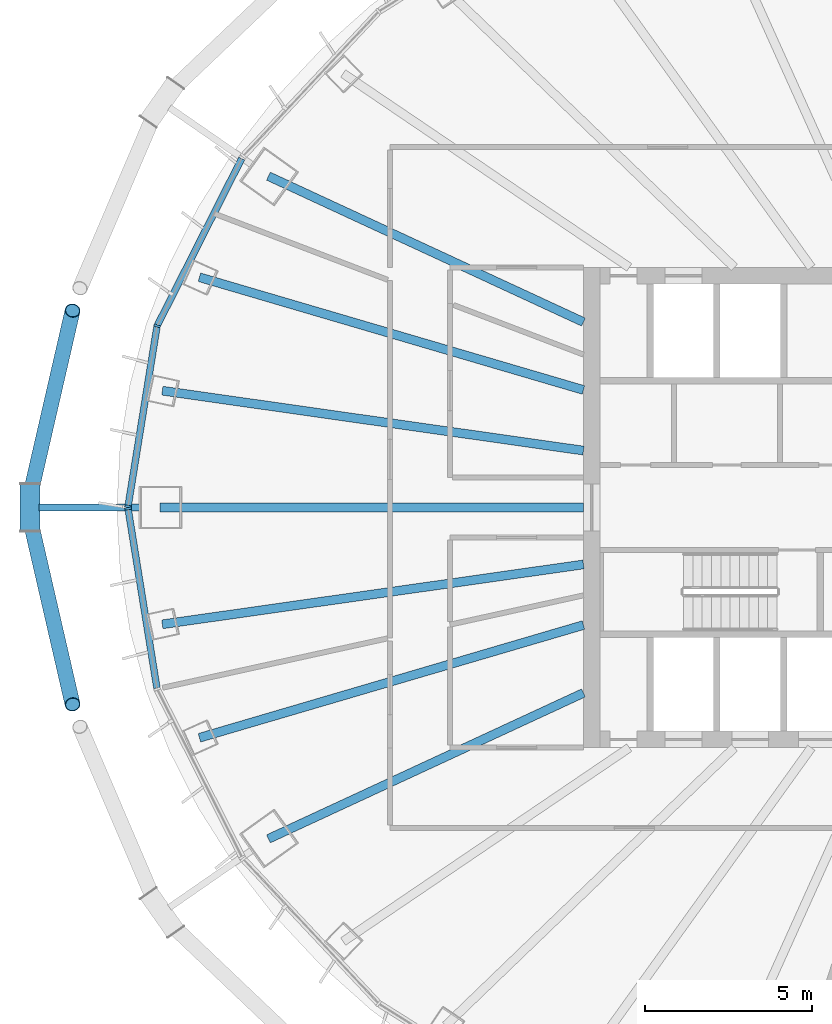
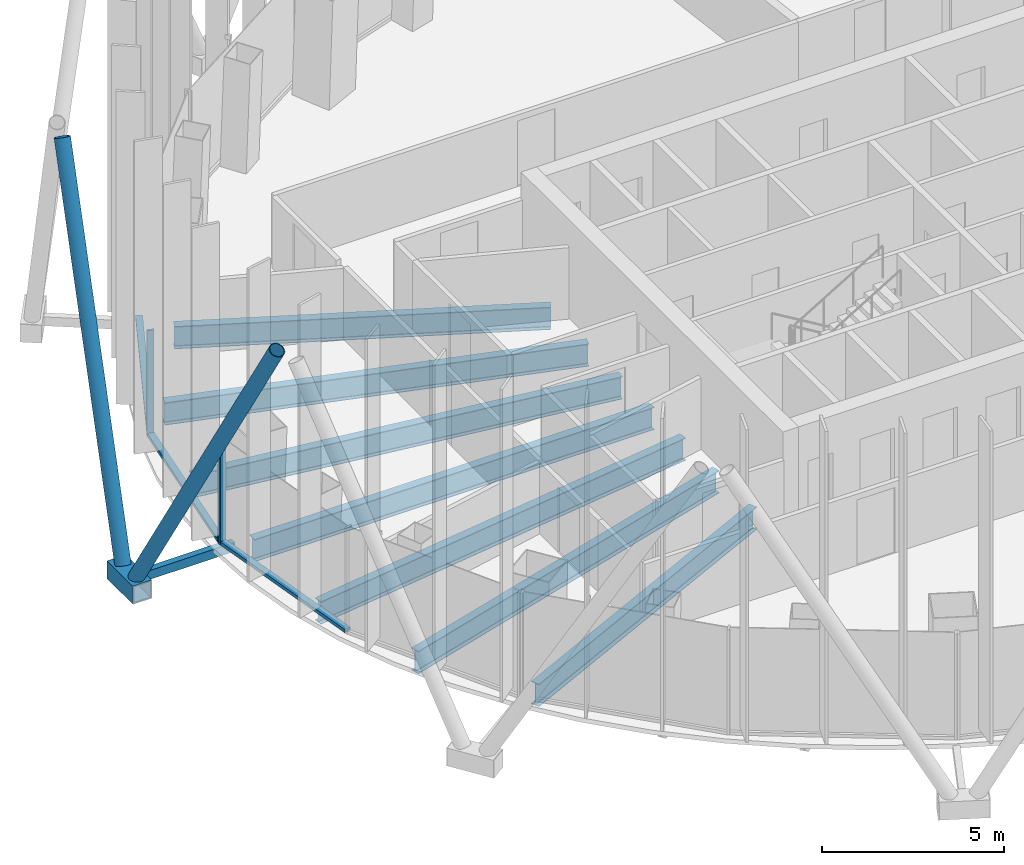
# One storey, part 3 of 20: 10 members, 7 beams, 2 elements without a shape of their own.
"""IFC4 building model written with IfcOpenShell, lengths in metres."""

from ifc_helpers import new_model, si_unit, direction, frame, origin, origin_2d, place, context, subcontext, project, spatial, rectangle, hollow_rectangle, hollow_circle, i_section, extrude, material, layer, layer_set, material_profile, profile_set, type_object, element, aggregate, save


model = new_model("IFC4")

# Units and contexts
model_context = context("Model", 3, precision=1e-05, world=origin(), true_north=direction((0.0, 1.0)))
body_context = subcontext(model_context, "Body", "Model", "MODEL_VIEW")
ifc_project = project(units=[si_unit("LENGTHUNIT", "METRE"), si_unit("AREAUNIT", "SQUARE_METRE"), si_unit("VOLUMEUNIT", "CUBIC_METRE"), si_unit("PLANEANGLEUNIT", "RADIAN"), si_unit("MASSUNIT", "GRAM", prefix="KILO")], contexts=[model_context])

# Site, building, storey
site_placement = place(None, origin())
site = spatial("IfcSite", under=ifc_project, at=site_placement, CompositionType="ELEMENT")
building_placement = place(site_placement, origin())
building = spatial("IfcBuilding", under=site, at=building_placement, Name="Siaravel Broadcast Tower", CompositionType="ELEMENT")
storey_placement = place(building_placement, frame((0.0, 0.0, 108.199951171875)))
storey = spatial("IfcBuildingStorey", under=building, at=storey_placement, Name="L25", CompositionType="ELEMENT", Elevation=108.199951171875)

# Beams
ifc_material_1 = material(Name="Steel S355", Category="steel")
ifc_material_profile_1 = material_profile(ifc_material_1, i_section(OverallWidth=0.26513671875, OverallDepth=0.75390625, WebThickness=0.0126953125, FlangeThickness=0.017578125, FilletRadius=0.0166015625, at=origin_2d()))
ifc_profile_set_1 = profile_set([ifc_material_profile_1], Name="Steel S355")
beam_type = type_object("IfcBeamType", Name="BM-UB 762x267x147", PredefinedType="BEAM", material=ifc_profile_set_1)
beam_1_placement = place(storey_placement, frame((-21.442138671875, 9.931884765625, -0.52685546875), z_axis=(0.907387216, -0.420295658, 0.0), x_axis=(0.420295658, 0.907387216, 0.0)))
element("IfcBeam", 1, at=beam_1_placement, inside=storey, type_object=beam_type, Name="Radial beam RB16", PredefinedType="BEAM", context=body_context, shape_type="SweptSolid", body=[
    extrude(i_section(OverallWidth=0.26513671875, OverallDepth=0.75390625, WebThickness=0.0126953125, FlangeThickness=0.017578125, FilletRadius=0.0166015625, at=origin_2d()), origin(), (0.0, 0.0, 1.0), 10.40576171875),
])
beam_2_placement = place(storey_placement, frame((-23.510498046875, 6.90234375, -0.52685546875), z_axis=(0.959507321, -0.281683688, 0.0), x_axis=(0.281683688, 0.959507321, 0.0)))
element("IfcBeam", 2, at=beam_2_placement, inside=storey, type_object=beam_type, Name="Radial beam RB17", PredefinedType="BEAM", context=body_context, shape_type="SweptSolid", body=[
    extrude(i_section(OverallWidth=0.26513671875, OverallDepth=0.75390625, WebThickness=0.0126953125, FlangeThickness=0.017578125, FilletRadius=0.0166015625, at=origin_2d()), origin(), (0.0, 0.0, 1.0), 11.996337890625),
])
beam_3_placement = place(storey_placement, frame((-24.623291015625, 3.5009765625, -0.52685546875), z_axis=(0.990044244, -0.140756508, 0.0), x_axis=(0.140756508, 0.990044244, 0.0)))
element("IfcBeam", 3, at=beam_3_placement, inside=storey, type_object=beam_type, Name="Radial beam RB18", PredefinedType="BEAM", context=body_context, shape_type="SweptSolid", body=[
    extrude(i_section(OverallWidth=0.26513671875, OverallDepth=0.75390625, WebThickness=0.0126953125, FlangeThickness=0.017578125, FilletRadius=0.0166015625, at=origin_2d()), origin(), (0.0, 0.0, 1.0), 12.750244140625),
])
beam_4_placement = place(storey_placement, frame((-24.697509765625, 0.0, -0.52685546875), z_axis=(1.0, 0.0, 0.0), x_axis=(0.0, 1.0, 0.0)))
element("IfcBeam", 4, at=beam_4_placement, inside=storey, type_object=beam_type, Name="Radial beam RB19", PredefinedType="BEAM", context=body_context, shape_type="SweptSolid", body=[
    extrude(i_section(OverallWidth=0.26513671875, OverallDepth=0.75390625, WebThickness=0.0126953125, FlangeThickness=0.017578125, FilletRadius=0.0166015625, at=origin_2d()), origin(), (0.0, 0.0, 1.0), 12.697509765625),
])
beam_5_placement = place(storey_placement, frame((-24.623291015625, -3.5009765625, -0.52685546875), z_axis=(0.990044244, 0.140756508, 0.0), x_axis=(-0.140756508, 0.990044244, 0.0)))
element("IfcBeam", 5, at=beam_5_placement, inside=storey, type_object=beam_type, Name="Radial beam RB20", PredefinedType="BEAM", context=body_context, shape_type="SweptSolid", body=[
    extrude(i_section(OverallWidth=0.26513671875, OverallDepth=0.75390625, WebThickness=0.0126953125, FlangeThickness=0.017578125, FilletRadius=0.0166015625, at=origin_2d()), origin(), (0.0, 0.0, 1.0), 12.750244140625),
])
beam_6_placement = place(storey_placement, frame((-23.510498046875, -6.90234375, -0.52685546875), z_axis=(0.959507321, 0.281683688, 0.0), x_axis=(-0.281683688, 0.959507321, 0.0)))
element("IfcBeam", 6, at=beam_6_placement, inside=storey, type_object=beam_type, Name="Radial beam RB21", PredefinedType="BEAM", context=body_context, shape_type="SweptSolid", body=[
    extrude(i_section(OverallWidth=0.26513671875, OverallDepth=0.75390625, WebThickness=0.0126953125, FlangeThickness=0.017578125, FilletRadius=0.0166015625, at=origin_2d()), origin(), (0.0, 0.0, 1.0), 11.996337890625),
])
beam_7_placement = place(storey_placement, frame((-21.442138671875, -9.931884765625, -0.52685546875), z_axis=(0.907387216, 0.420295658, 0.0), x_axis=(-0.420295658, 0.907387216, 0.0)))
element("IfcBeam", 7, at=beam_7_placement, inside=storey, type_object=beam_type, Name="Radial beam RB22", PredefinedType="BEAM", context=body_context, shape_type="SweptSolid", body=[
    extrude(i_section(OverallWidth=0.26513671875, OverallDepth=0.75390625, WebThickness=0.0126953125, FlangeThickness=0.017578125, FilletRadius=0.0166015625, at=origin_2d()), origin(), (0.0, 0.0, 1.0), 10.40576171875),
])

# Curtain wall, members
ifc_material_2 = material(Name="Aluminium 6063-T6", Category="aluminium")
ifc_layer = layer(ifc_material_2, 0.199951171875)
ifc_layer_set = layer_set([ifc_layer], Name="Aluminium 6063-T6")
curtain_wall_type = type_object("IfcCurtainWallType", Name="Unitised curtain wall, zone 2", PredefinedType="NOTDEFINED", material=ifc_layer_set)
curtain_wall_1_placement = place(storey_placement, origin())
curtain_wall_1 = element("IfcCurtainWall", 8, at=curtain_wall_1_placement, inside=storey, type_object=curtain_wall_type, Name="L25 Unitised curtain wall, zone 2 06", PredefinedType="NOTDEFINED")
ifc_material_profile_2 = material_profile(ifc_material_2, rectangle(XDim=0.199951171875, YDim=0.06494140625, at=origin_2d()))
ifc_profile_set_2 = profile_set([ifc_material_profile_2], Name="Aluminium 6063-T6")
member_type_1 = type_object("IfcMemberType", Name="CW-Z2 mullion", PredefinedType="MULLION", material=ifc_profile_set_2)
member_1_placement = place(storey_placement, frame((-24.7802734375, 5.44384765625, 0.0), z_axis=(0.0, 0.0, 1.0), x_axis=(0.951177123, -0.308645559, 0.0)))
member_1 = element("IfcMember", 9, at=member_1_placement, type_object=member_type_1, Name="CW-Z2 mullion 2", PredefinedType="MULLION", context=body_context, shape_type="SweptSolid", body=[
    extrude(rectangle(XDim=0.199951171875, YDim=0.06494140625, at=origin_2d()), origin(), (0.0, 0.0, 1.0), 3.550048828125),
])
member_2_placement = place(storey_placement, frame((-25.650146484375, 0.031982421875, 0.0), z_axis=(0.0, 0.0, 1.0), x_axis=(0.987329151, -0.158685687, 0.0)))
member_2 = element("IfcMember", 10, at=member_2_placement, type_object=member_type_1, Name="CW-Z2 mullion 3", PredefinedType="MULLION", context=body_context, shape_type="SweptSolid", body=[
    extrude(rectangle(XDim=0.199951171875, YDim=0.06494140625, at=origin_2d()), origin(), (0.0, 0.0, 1.0), 3.550048828125),
])

# Curtain wall, member
curtain_wall_2_placement = place(storey_placement, origin())
curtain_wall_2 = element("IfcCurtainWall", 11, at=curtain_wall_2_placement, inside=storey, type_object=curtain_wall_type, Name="L25 Unitised curtain wall, zone 2 07", PredefinedType="NOTDEFINED")
member_3_placement = place(storey_placement, frame((-25.650146484375, -0.031982421875, 0.0), z_axis=(0.0, 0.0, 1.0), x_axis=(0.987329151, 0.158685687, 0.0)))
member_3 = element("IfcMember", 12, at=member_3_placement, type_object=member_type_1, Name="CW-Z2 mullion 1", PredefinedType="MULLION", context=body_context, shape_type="SweptSolid", body=[
    extrude(rectangle(XDim=0.199951171875, YDim=0.06494140625, at=origin_2d()), origin(), (0.0, 0.0, 1.0), 3.550048828125),
])

# Member
ifc_material_profile_3 = material_profile(ifc_material_2, rectangle(XDim=0.199951171875, YDim=0.110107421875, at=origin_2d()))
ifc_profile_set_3 = profile_set([ifc_material_profile_3], Name="Aluminium 6063-T6")
member_type_2 = type_object("IfcMemberType", Name="CW-Z2 transom", PredefinedType="USERDEFINED", material=ifc_profile_set_3)
member_4_placement = place(storey_placement, frame((-22.2451171875, 10.45751953125, 0.054931640625), z_axis=(-0.451247712, -0.892398735, 0.0), x_axis=(0.892398735, -0.451247712, 0.0)))
member_4 = element("IfcMember", 13, at=member_4_placement, type_object=member_type_2, Name="CW-Z2 transom 1", ObjectType="TRANSOM", PredefinedType="USERDEFINED", context=body_context, shape_type="SweptSolid", body=[
    extrude(rectangle(XDim=0.199951171875, YDim=0.110107421875, at=origin_2d()), origin(), (0.0, 0.0, 1.0), 5.585693359375),
])

member_5_placement = place(storey_placement, frame((-24.785400390625, 5.411865234375, 0.054931640625), z_axis=(-0.158709481, -0.987325327, 0.0), x_axis=(0.987325327, -0.158709481, 0.0)))
member_5 = element("IfcMember", 14, at=member_5_placement, type_object=member_type_2, Name="CW-Z2 transom 2", ObjectType="TRANSOM", PredefinedType="USERDEFINED", context=body_context, shape_type="SweptSolid", body=[
    extrude(rectangle(XDim=0.199951171875, YDim=0.110107421875, at=origin_2d()), origin(), (0.0, 0.0, 1.0), 5.416259765625),
])

aggregate(curtain_wall_1, [member_1, member_2, member_4, member_5])

member_6_placement = place(storey_placement, frame((-25.64501953125, -0.064208984375, 0.054931640625), z_axis=(0.158709481, -0.987325327, 0.0), x_axis=(0.987325327, 0.158709481, 0.0)))
member_6 = element("IfcMember", 15, at=member_6_placement, type_object=member_type_2, Name="CW-Z2 transom 1", ObjectType="TRANSOM", PredefinedType="USERDEFINED", context=body_context, shape_type="SweptSolid", body=[
    extrude(rectangle(XDim=0.199951171875, YDim=0.110107421875, at=origin_2d()), origin(), (0.0, 0.0, 1.0), 5.416259765625),
])

aggregate(curtain_wall_2, [member_3, member_6])

# Members
ifc_material_3 = material(Name="Steel S460", Category="steel")
ifc_material_profile_4 = material_profile(ifc_material_3, hollow_circle(Radius=0.228515625, WallThickness=0.02001953125, at=origin_2d()))
ifc_profile_set_4 = profile_set([ifc_material_profile_4], Name="Steel S460")
member_type_3 = type_object("IfcMemberType", Name="Diagrid diagonal CHS 457x20", PredefinedType="BRACE", material=ifc_profile_set_4)
for number, where, z_axis, x_axis, name in (
    (16, (-28.589599609375, 0.351318359375, 0.070068359375), (0.106377506, 0.462685176, 0.880117182), (-0.974573627, 0.224067502, 0.0), "Diagrid diagonal R11 station 36C"),
    (17, (-28.589599609375, -0.351318359375, 0.070068359375), (0.106377506, -0.462685176, 0.880117182), (0.974573627, 0.224067502, 0.0), "Diagrid diagonal R11 station 36A"),
):
    element("IfcMember", number, at=place(storey_placement, frame(where, z_axis=z_axis, x_axis=x_axis)), inside=storey, type_object=member_type_3, Name=name, PredefinedType="BRACE", context=body_context, shape_type="SweptSolid", body=[
        extrude(hollow_circle(Radius=0.228515625, WallThickness=0.02001953125, at=origin_2d()), origin(), (0.0, 0.0, 1.0), 11.99853515625),
    ])
ifc_material_profile_5 = material_profile(ifc_material_3, hollow_rectangle(XDim=0.60009765625, YDim=0.60009765625, WallThickness=0.0400390625, at=origin_2d()))
ifc_profile_set_5 = profile_set([ifc_material_profile_5], Name="Steel S460")
member_type_4 = type_object("IfcMemberType", Name="Diagrid node BOX 600x600x40", PredefinedType="USERDEFINED", material=ifc_profile_set_5)
member_7_placement = place(storey_placement, frame((-28.589599609375, 0.699951171875, -0.199951171875), z_axis=(0.0, -1.0, 0.0), x_axis=(1.0, 0.0, 0.0)))
element("IfcMember", 18, at=member_7_placement, inside=storey, type_object=member_type_4, Name="Diagrid node R11 station 36", ObjectType="DIAGRID NODE", PredefinedType="USERDEFINED", context=body_context, shape_type="SweptSolid", body=[
    extrude(hollow_rectangle(XDim=0.60009765625, YDim=0.60009765625, WallThickness=0.0400390625, at=origin_2d()), origin(), (0.0, 0.0, 1.0), 1.39990234375),
])
ifc_material_profile_6 = material_profile(ifc_material_3, hollow_rectangle(XDim=0.199951171875, YDim=0.300048828125, WallThickness=0.012451171875, at=origin_2d()))
ifc_profile_set_6 = profile_set([ifc_material_profile_6], Name="Steel S460")
member_type_5 = type_object("IfcMemberType", Name="Diagrid node arm RHS 300x200x12.5", PredefinedType="STRUT", material=ifc_profile_set_6)
member_8_placement = place(storey_placement, frame((-25.29248046875, 0.0, -0.199951171875), z_axis=(-1.0, 0.0, 0.0), x_axis=(0.0, -1.0, 0.0)))
element("IfcMember", 19, at=member_8_placement, inside=storey, type_object=member_type_5, Name="Node arm R11 station 36", PredefinedType="STRUT", context=body_context, shape_type="SweptSolid", body=[
    extrude(hollow_rectangle(XDim=0.199951171875, YDim=0.300048828125, WallThickness=0.012451171875, at=origin_2d()), origin(), (0.0, 0.0, 1.0), 3.027099609375),
])

save(model, "model.ifc")
